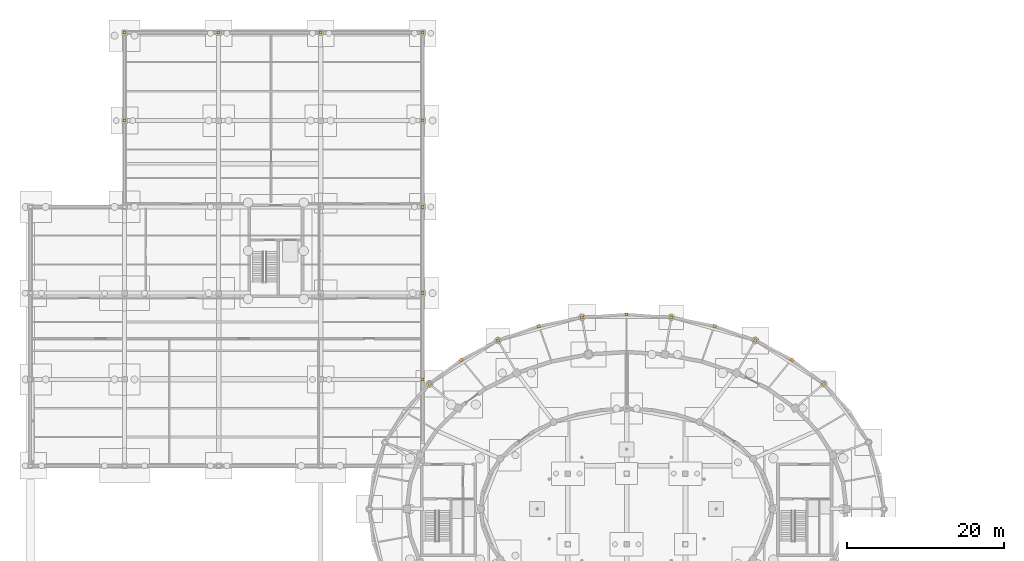
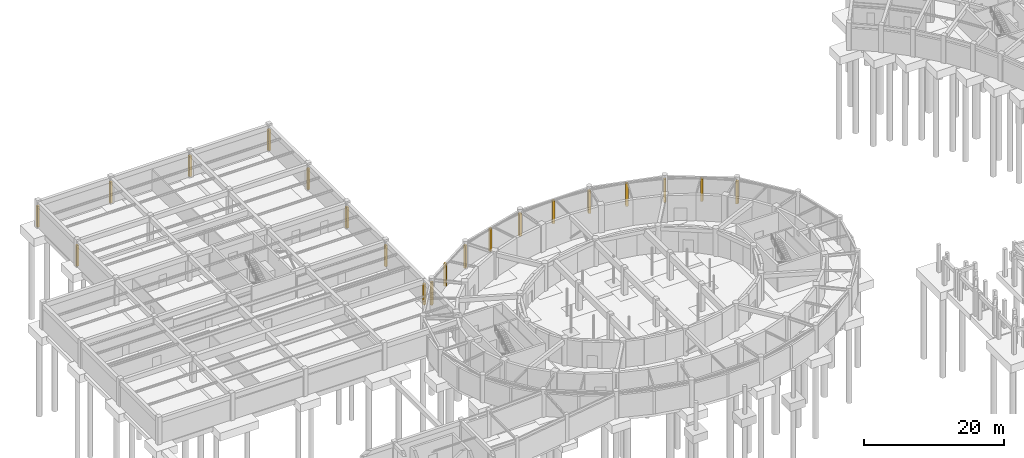
# One storey, part 38 of 42: 20 coverings.
"""IFC4 building model written with IfcOpenShell, lengths in metres."""

from ifc_helpers import new_model, si_unit, direction, frame, origin, origin_2d, place, context, subcontext, project, spatial, rectangle, extrude, material, layer, layer_set, type_object, element, save


model = new_model("IFC4")

# Units and contexts
model_context = context("Model", 3, precision=1e-05, world=origin(), true_north=direction((0.0, 1.0)))
body_context = subcontext(model_context, "Body", "Model", "MODEL_VIEW")
ifc_project = project(units=[si_unit("LENGTHUNIT", "METRE"), si_unit("AREAUNIT", "SQUARE_METRE"), si_unit("VOLUMEUNIT", "CUBIC_METRE"), si_unit("PLANEANGLEUNIT", "RADIAN"), si_unit("MASSUNIT", "GRAM", prefix="KILO")], contexts=[model_context])

# Site, building, storey
site_placement = place(None, origin())
site = spatial("IfcSite", under=ifc_project, at=site_placement, CompositionType="ELEMENT")
building_placement = place(site_placement, origin())
building = spatial("IfcBuilding", under=site, at=building_placement, Name="Tarnveldt Headland Concert Hall", CompositionType="ELEMENT")
storey_placement = place(building_placement, frame((0.0, 0.0, -4.800048828125)))
storey = spatial("IfcBuildingStorey", under=building, at=storey_placement, Name="B1", CompositionType="ELEMENT", Elevation=-4.800048828125)

# Coverings
ifc_material = material(Name="Coral-toned precast concrete C40/50", Category="concrete")
ifc_layer = layer(ifc_material, 0.360107421875, Name="Coral-toned precast concrete C40/50", Category="concrete")
ifc_layer_set = layer_set([ifc_layer], Name="Coral-toned precast concrete C40/50")
covering_type = type_object("IfcCoveringType", Name="CV-JNT360", PredefinedType="CLADDING", material=ifc_layer_set)
for number, where, z_axis, x_axis, name in (
    (1, (19.5, 104.0, 0.0), (0.0, 0.0, 1.0), (0.0, 1.0, 0.0), "Precast facade joint closure pilaster B1-13"),
    (2, (19.5, 115.199951171875, 0.0), (0.0, 0.0, 1.0), (1.0, 0.0, 0.0), "Precast facade joint closure pilaster B1-14"),
    (3, (31.5, 115.199951171875, 0.0), (0.0, 0.0, 1.0), (1.0, 0.0, 0.0), "Precast facade joint closure pilaster B1-18"),
    (4, (44.5, 115.199951171875, 0.0), (0.0, 0.0, 1.0), (1.0, 0.0, 0.0), "Precast facade joint closure pilaster B1-27"),
    (5, (57.5, 71.0, 0.0), (0.0, 0.0, 1.0), (0.0, -1.0, 0.0), "Precast facade joint closure pilaster B1-39"),
    (6, (57.5, 82.0, 0.0), (0.0, 0.0, 1.0), (0.0, -1.0, 0.0), "Precast facade joint closure pilaster B1-40"),
    (7, (57.5, 93.0, 0.0), (0.0, 0.0, 1.0), (0.0, -1.0, 0.0), "Precast facade joint closure pilaster B1-41"),
    (8, (57.5, 104.0, 0.0), (0.0, 0.0, 1.0), (0.0, -1.0, 0.0), "Precast facade joint closure pilaster B1-42"),
    (9, (57.5, 115.199951171875, 0.0), (0.0, 0.0, 1.0), (0.0, -1.0, 0.0), "Precast facade joint closure pilaster B1-43"),
):
    element("IfcCovering", number, at=place(storey_placement, frame(where, z_axis=z_axis, x_axis=x_axis)), inside=storey, type_object=covering_type, Name=name, PredefinedType="CLADDING", context=body_context, shape_type="SweptSolid", body=[
        extrude(rectangle(XDim=0.3798828125, YDim=0.3798828125, at=origin_2d()), origin(), (0.0, 0.0, 1.0), 3.637939453125),
    ])
for number, where, z_axis, x_axis, name in (
    (10, (58.373779296875, 70.441162109375, 0.0), (0.0, 0.0, 1.0), (0.797689196331, 0.603068773902, 0.0), "Precast facade joint closure pilaster B1-46"),
    (11, (62.41650390625, 73.497802734375, 0.0), (0.0, 0.0, 1.0), (0.883765630089, 0.467929814261, 0.0), "Precast facade joint closure pilaster B1-48"),
    (12, (67.10009765625, 75.977294921875, 0.0), (0.0, 0.0, 1.0), (0.943106654378, 0.33249035846, 0.0), "Precast facade joint closure pilaster B1-50"),
    (13, (72.28173828125, 77.804443359375, 0.0), (0.0, 0.0, 1.0), (0.980098312815, 0.198512712986, 0.0), "Precast facade joint closure pilaster B1-52"),
    (14, (77.80419921875, 78.923095703125, 0.0), (0.0, 0.0, 1.0), (0.997813020072, 0.066099750182, 0.0), "Precast facade joint closure pilaster B1-54"),
    (15, (83.5, 79.300048828125, 0.0), (0.0, 0.0, 1.0), (0.997813020072, -0.066099750182, 0.0), "Precast facade joint closure pilaster B1-56"),
    (16, (89.19580078125, 78.923095703125, 0.0), (0.0, 0.0, 1.0), (0.980098312815, -0.198512712986, 0.0), "Precast facade joint closure pilaster B1-58"),
    (17, (94.71826171875, 77.804443359375, 0.0), (0.0, 0.0, 1.0), (0.943106654378, -0.33249035846, 0.0), "Precast facade joint closure pilaster B1-60"),
    (18, (99.89990234375, 75.977294921875, 0.0), (0.0, 0.0, 1.0), (0.883765630089, -0.467929814261, 0.0), "Precast facade joint closure pilaster B1-62"),
    (19, (104.58349609375, 73.497802734375, 0.0), (0.0, 0.0, 1.0), (0.797689196331, -0.603068773902, 0.0), "Precast facade joint closure pilaster B1-64"),
    (20, (108.626220703125, 70.441162109375, 0.0), (0.0, 0.0, 1.0), (0.679441304262, -0.733729864503, 0.0), "Precast facade joint closure pilaster B1-66"),
):
    element("IfcCovering", number, at=place(storey_placement, frame(where, z_axis=z_axis, x_axis=x_axis)), inside=storey, type_object=covering_type, Name=name, PredefinedType="CLADDING", context=body_context, shape_type="SweptSolid", body=[
        extrude(rectangle(XDim=0.3798828125, YDim=0.3798828125, at=origin_2d()), origin(), (0.0, 0.0, 1.0), 3.949951171875),
    ])

save(model, "model.ifc")
